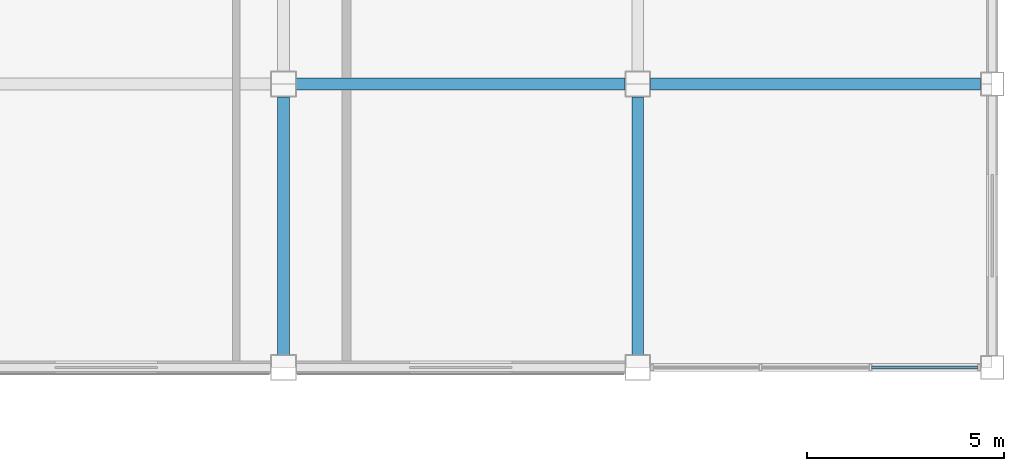
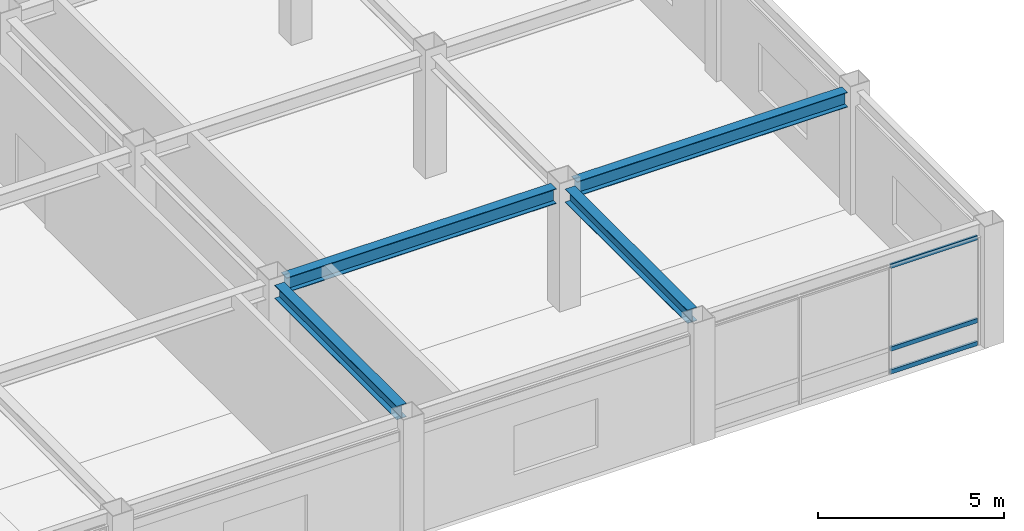
# One storey, part 74 of 106: 4 beams, 3 members, 1 element without a shape of its own.
"""IFC4 building model written with IfcOpenShell, lengths in metres."""

import ifcopenshell
import ifcopenshell.guid

model = None  # the IFC model being written
_history = None  # IfcOwnerHistory: only IFC2X3 demands one
_inside = {}  # id of a spatial element -> (the spatial element, [elements in it])
_under = {}  # id of a project, library or spatial element -> (it, [spatial elements below it])
_declared = {}  # id of a project -> (the project, [libraries it declares])
_typed = {}  # id of a type object -> (the type object, [elements of that type])
_made_of = {}  # id of a material, layer set ... -> (it, [elements and type objects made of it])


def new_model(schema):
    """Start an empty IFC model of exactly this schema.

    Asked for "IFC4X3", IfcOpenShell would pick the latest addendum, in which some entities
    have other attributes; the version numbers below select the first issue.
    IFC2X3 requires an IfcOwnerHistory on every rooted entity: one is made here for all.
    """
    global model, _history
    if schema == "IFC4X3":
        model = ifcopenshell.file(schema_version=(4, 3, 0, 0))
    else:
        model = ifcopenshell.file(schema=schema)
    _inside.clear()
    _under.clear()
    _declared.clear()
    _typed.clear()
    _made_of.clear()
    _history = None
    if model.schema == "IFC2X3":
        org = make("IfcOrganization", Name="unknown")
        user = make(
            "IfcPersonAndOrganization",
            ThePerson=make("IfcPerson", FamilyName="unknown"),
            TheOrganization=org,
        )
        app = make(
            "IfcApplication",
            ApplicationDeveloper=org,
            Version="unknown",
            ApplicationFullName="unknown",
            ApplicationIdentifier="unknown",
        )
        _history = make(
            "IfcOwnerHistory",
            OwningUser=user,
            OwningApplication=app,
            ChangeAction="ADDED",
            CreationDate=0,
        )
    return model


def make(cls, **values):
    """One entity of the class cls with the attributes given. An attribute that is None is left unset."""
    return model.create_entity(
        cls, **{name: value for name, value in values.items() if value is not None}
    )


def rooted(cls, **values):
    """An entity with a GlobalId (a new one), such as an element, a storey or a relation."""
    return make(cls, GlobalId=ifcopenshell.guid.new(), OwnerHistory=_history, **values)


def si_unit(unit_type, name, prefix=None):
    """IfcSIUnit, for example si_unit("LENGTHUNIT", "METRE", prefix="MILLI")."""
    return make("IfcSIUnit", UnitType=unit_type, Prefix=prefix, Name=name)


def assignment(units):
    """IfcUnitAssignment: the units of a project."""
    return None if units is None else make("IfcUnitAssignment", Units=units)


def point(xyz):
    """IfcCartesianPoint."""
    return None if xyz is None else make("IfcCartesianPoint", Coordinates=xyz)


def direction(xyz):
    """IfcDirection."""
    return None if xyz is None else make("IfcDirection", DirectionRatios=xyz)


def frame(location, z_axis=None, x_axis=None):
    """IfcAxis2Placement3D, a coordinate frame: its origin and axes. An axis left out is left unset."""
    return make(
        "IfcAxis2Placement3D",
        Location=point(location),
        Axis=direction(z_axis),
        RefDirection=direction(x_axis),
    )


def frame_2d(location, x_axis=None):
    """IfcAxis2Placement2D, a coordinate frame in the plane: its origin and x axis."""
    return make(
        "IfcAxis2Placement2D", Location=point(location), RefDirection=direction(x_axis)
    )


def origin():
    """The frame at (0, 0, 0) with its axes left unset."""
    return frame((0.0, 0.0, 0.0))


def origin_2d():
    """The frame at (0, 0) in the plane with its x axis left unset."""
    return frame_2d((0.0, 0.0))


def place(relative_to, where):
    """IfcLocalPlacement: puts the frame where relative to a parent placement (None: the world)."""
    return make(
        "IfcLocalPlacement", PlacementRelTo=relative_to, RelativePlacement=where
    )


def context(
    kind, dimensions, precision=None, world=None, true_north=None, identifier=None
):
    """IfcGeometricRepresentationContext, for example the 3D "Model" context."""
    return make(
        "IfcGeometricRepresentationContext",
        ContextIdentifier=identifier,
        ContextType=kind,
        CoordinateSpaceDimension=dimensions,
        Precision=precision,
        WorldCoordinateSystem=world,
        TrueNorth=true_north,
    )


def subcontext(parent, identifier, kind, view, scale=None):
    """IfcGeometricRepresentationSubContext, for example "Body" below "Model"."""
    return make(
        "IfcGeometricRepresentationSubContext",
        ContextIdentifier=identifier,
        ContextType=kind,
        ParentContext=parent,
        TargetScale=scale,
        TargetView=view,
    )


def project(units=None, contexts=None):
    """IfcProject with its units and contexts."""
    return rooted(
        "IfcProject",
        Name="project",
        RepresentationContexts=contexts,
        UnitsInContext=assignment(units),
    )


def spatial(cls, under=None, at=None, **own):
    """A site, building, storey or space (cls), placed at a placement, below another one or the project."""
    s = rooted(cls, ObjectPlacement=at, **own)
    if under is not None:
        _under.setdefault(under.id(), (under, []))[1].append(s)
    return s


def profile(cls, at=None, kind="AREA", **sizes):
    """A parametric profile (cls). Its sizes go by their IFC names, for example OverallWidth=200.0."""
    return make(cls, ProfileType=kind, Position=at, **sizes)


def hollow_rectangle(**sizes):
    """IfcRectangleHollowProfileDef."""
    return profile("IfcRectangleHollowProfileDef", **sizes)


def i_section(**sizes):
    """IfcIShapeProfileDef."""
    return profile("IfcIShapeProfileDef", **sizes)


def extrude(swept, where, along, depth):
    """IfcExtrudedAreaSolid: the profile swept, set in the frame where, extruded along a direction by depth."""
    return make(
        "IfcExtrudedAreaSolid",
        SweptArea=swept,
        Position=where,
        ExtrudedDirection=direction(along),
        Depth=depth,
    )


def shape(context_of_items, identifier, shape_type, items):
    """IfcShapeRepresentation: the items that make up one representation, for example the "Body"."""
    return make(
        "IfcShapeRepresentation",
        ContextOfItems=context_of_items,
        RepresentationIdentifier=identifier,
        RepresentationType=shape_type,
        Items=items,
    )


def material(Name=None, Category=None):
    """IfcMaterial."""
    return make("IfcMaterial", Name=Name, Category=Category)


def material_profile(
    of_material, cross_section, Name=None, Category=None, Priority=None
):
    """IfcMaterialProfile: a cross section and its material."""
    return make(
        "IfcMaterialProfile",
        Name=Name,
        Material=of_material,
        Profile=cross_section,
        Priority=Priority,
        Category=Category,
    )


def profile_set(profiles, Name=None, composite=None):
    """IfcMaterialProfileSet."""
    return make(
        "IfcMaterialProfileSet",
        Name=Name,
        MaterialProfiles=profiles,
        CompositeProfile=composite,
    )


def made_of(thing, what):
    """Note that an element or type object is made of a material, layer set ...; save() writes the relation."""
    if what is not None:
        _made_of.setdefault(what.id(), (what, []))[1].append(thing)
    return thing


def type_object(cls, material=None, **own):
    """A type object (cls), such as IfcWallType, which elements share."""
    return made_of(rooted(cls, **own), material)


def element(
    cls,
    number,
    at=None,
    inside=None,
    cuts=None,
    type_object=None,
    material=None,
    context=None,
    identifier="Body",
    shape_type=None,
    held_by="IfcProductDefinitionShape",
    body=None,
    shapes=None,
    **own,
):
    """One element of the class cls, such as IfcWall. Its Tag is "e" and its number.

    at: its placement. inside: the storey or other place that contains it. cuts: it is an
    opening in that element (IfcRelVoidsElement). A single representation is given by context,
    identifier, shape_type and body (its items); several are given by shapes. held_by: the class
    of the entity that holds the representations. save() writes the other relations.
    """
    e = rooted(cls, Tag="e%d" % number, ObjectPlacement=at, **own)
    if body is not None:
        shapes = [shape(context, identifier, shape_type, body)]
    if shapes is not None:
        e.Representation = make(held_by, Representations=shapes)
    if inside is not None:
        _inside.setdefault(inside.id(), (inside, []))[1].append(e)
    if cuts is not None:
        rooted(
            "IfcRelVoidsElement", RelatingBuildingElement=cuts, RelatedOpeningElement=e
        )
    if type_object is not None:
        _typed.setdefault(type_object.id(), (type_object, []))[1].append(e)
    return made_of(e, material)


def aggregate(whole, parts):
    """IfcRelAggregates: a whole, such as a stair, and the parts it consists of."""
    return rooted("IfcRelAggregates", RelatingObject=whole, RelatedObjects=parts)


def save(model, path):
    """Write the relations noted so far, then the file.

    IfcRelAggregates (storeys below a building ...), IfcRelContainedInSpatialStructure (elements
    in a storey), IfcRelDefinesByType, IfcRelAssociatesMaterial and IfcRelDeclares: one each for
    every whole, place, type object, material and project.
    """
    for whole, parts in _under.values():
        aggregate(whole, parts)
    for where, things in _inside.values():
        rooted(
            "IfcRelContainedInSpatialStructure",
            RelatedElements=things,
            RelatingStructure=where,
        )
    for kind, things in _typed.values():
        rooted("IfcRelDefinesByType", RelatedObjects=things, RelatingType=kind)
    for what, things in _made_of.values():
        rooted("IfcRelAssociatesMaterial", RelatedObjects=things, RelatingMaterial=what)
    for by, libraries in _declared.values():
        rooted("IfcRelDeclares", RelatingContext=by, RelatedDefinitions=libraries)
    model.write(path)


model = new_model("IFC4")

# Units and contexts
model_context = context("Model", 3, precision=1e-05, world=origin(), true_north=direction((0.0, 1.0)))
body_context = subcontext(model_context, "Body", "Model", "MODEL_VIEW")
ifc_project = project(units=[si_unit("LENGTHUNIT", "METRE"), si_unit("AREAUNIT", "SQUARE_METRE"), si_unit("VOLUMEUNIT", "CUBIC_METRE"), si_unit("PLANEANGLEUNIT", "RADIAN"), si_unit("MASSUNIT", "GRAM", prefix="KILO")], contexts=[model_context])

# Site, building, storey
site_placement = place(None, origin())
site = spatial("IfcSite", under=ifc_project, at=site_placement, CompositionType="ELEMENT")
building_placement = place(site_placement, origin())
building = spatial("IfcBuilding", under=site, at=building_placement, Name="Kazanami Central Library", CompositionType="ELEMENT")
storey_placement = place(building_placement, frame((0.0, 0.0, 12.800048828125)))
storey = spatial("IfcBuildingStorey", under=building, at=storey_placement, Name="L04", CompositionType="ELEMENT", Elevation=12.800048828125)

# Beams
ifc_material_1 = material(Name="Steel SN490B (325 MPa)", Category="steel")
ifc_material_profile_1 = material_profile(ifc_material_1, i_section(OverallWidth=0.300048828125, OverallDepth=0.488037109375, WebThickness=0.010986328125, FlangeThickness=0.01806640625, at=origin_2d()), Name="H-488x300x11x18")
ifc_profile_set_1 = profile_set([ifc_material_profile_1], Name="Steel SN490B (325 MPa)")
beam_type_1 = type_object("IfcBeamType", Name="BM-G-X5", PredefinedType="BEAM", material=ifc_profile_set_1)
beam_1_placement = place(storey_placement, frame((144.322998046875, 50.39990234375, 3.696044921875), z_axis=(1.0, 0.0, 0.0), x_axis=(0.0, 1.0, 0.0)))
element("IfcBeam", 1, at=beam_1_placement, inside=storey, type_object=beam_type_1, Name="Girder G-X5 L04 H/17-18", PredefinedType="BEAM", context=body_context, shape_type="SweptSolid", body=[
    extrude(i_section(OverallWidth=0.300048828125, OverallDepth=0.488037109375, WebThickness=0.010986328125, FlangeThickness=0.01806640625, at=origin_2d()), origin(), (0.0, 0.0, 1.0), 8.35400390625),
])
beam_2_placement = place(storey_placement, frame((153.322998046875, 50.39990234375, 3.696044921875), z_axis=(1.0, 0.0, 0.0), x_axis=(0.0, 1.0, 0.0)))
element("IfcBeam", 2, at=beam_2_placement, inside=storey, type_object=beam_type_1, Name="Girder G-X5 L04 H/18-19", PredefinedType="BEAM", context=body_context, shape_type="SweptSolid", body=[
    extrude(i_section(OverallWidth=0.300048828125, OverallDepth=0.488037109375, WebThickness=0.010986328125, FlangeThickness=0.01806640625, at=origin_2d()), origin(), (0.0, 0.0, 1.0), 8.37890625),
])
ifc_material_profile_2 = material_profile(ifc_material_1, i_section(OverallWidth=0.300048828125, OverallDepth=0.43994140625, WebThickness=0.010986328125, FlangeThickness=0.01806640625, at=origin_2d()), Name="H-440x300x11x18")
ifc_profile_set_2 = profile_set([ifc_material_profile_2], Name="Steel SN490B (325 MPa)")
beam_type_2 = type_object("IfcBeamType", Name="BM-G-Y4", PredefinedType="BEAM", material=ifc_profile_set_2)
for number, where, z_axis, x_axis, name in (
    (3, (144.0, 43.52294921875, 3.7548828125), (0.0, 1.0, 0.0), (-1.0, 0.0, 0.0), "Girder G-Y4 L04 17/G-H"),
    (4, (153.0, 43.52294921875, 3.7548828125), (0.0, 1.0, 0.0), (-1.0, 0.0, 0.0), "Girder G-Y4 L04 18/G-H"),
):
    element("IfcBeam", number, at=place(storey_placement, frame(where, z_axis=z_axis, x_axis=x_axis)), inside=storey, type_object=beam_type_2, Name=name, PredefinedType="BEAM", context=body_context, shape_type="SweptSolid", body=[
        extrude(i_section(OverallWidth=0.300048828125, OverallDepth=0.43994140625, WebThickness=0.010986328125, FlangeThickness=0.01806640625, at=origin_2d()), origin(), (0.0, 0.0, 1.0), 6.553955078125),
    ])

# Curtain wall, members
ifc_material_2 = material(Name="Acid-Etched Low-E Laminated Glass", Category="glass")
curtain_wall_type = type_object("IfcCurtainWallType", Name="CW-8375x3525-M275", PredefinedType="USERDEFINED", material=ifc_material_2)
curtain_wall_placement = place(storey_placement, origin())
curtain_wall = element("IfcCurtainWall", 5, at=curtain_wall_placement, inside=storey, type_object=curtain_wall_type, Name="Unitised Curtain Wall CW-38 L04 S-G-17", ObjectType="UNITISED CURTAIN WALL", PredefinedType="USERDEFINED")
ifc_material_3 = material(Name="Anodised Aluminium A6063-T5", Category="aluminium")
ifc_material_profile_3 = material_profile(ifc_material_3, hollow_rectangle(XDim=0.06494140625, YDim=0.139892578125, WallThickness=0.00390625, at=origin_2d()), Name="ALU-TRAN-65x140x4")
ifc_profile_set_3 = profile_set([ifc_material_profile_3], Name="Anodised Aluminium A6063-T5")
member_type = type_object("IfcMemberType", Name="MEM-CW-T2", PredefinedType="USERDEFINED", material=ifc_profile_set_3)
member_1_placement = place(storey_placement, frame((158.94091796875, 43.199951171875, 0.032470703125), z_axis=(1.0, 0.0, 0.0), x_axis=(0.0, 1.0, 0.0)))
member_1 = element("IfcMember", 6, at=member_1_placement, type_object=member_type, Name="CW-38 transom 3.1", ObjectType="TRANSOM", PredefinedType="USERDEFINED", context=body_context, shape_type="SweptSolid", body=[
    extrude(hollow_rectangle(XDim=0.06494140625, YDim=0.139892578125, WallThickness=0.00390625, at=origin_2d()), origin(), (0.0, 0.0, 1.0), 2.694091796875),
])
member_2_placement = place(storey_placement, frame((158.94091796875, 43.199951171875, 0.780029296875), z_axis=(1.0, 0.0, 0.0), x_axis=(0.0, 1.0, 0.0)))
member_2 = element("IfcMember", 7, at=member_2_placement, type_object=member_type, Name="CW-38 transom 3.2", ObjectType="TRANSOM", PredefinedType="USERDEFINED", context=body_context, shape_type="SweptSolid", body=[
    extrude(hollow_rectangle(XDim=0.06494140625, YDim=0.139892578125, WallThickness=0.00390625, at=origin_2d()), origin(), (0.0, 0.0, 1.0), 2.694091796875),
])
member_3_placement = place(storey_placement, frame((158.94091796875, 43.199951171875, 3.492431640625), z_axis=(1.0, 0.0, 0.0), x_axis=(0.0, 1.0, 0.0)))
member_3 = element("IfcMember", 8, at=member_3_placement, type_object=member_type, Name="CW-38 transom 3.3", ObjectType="TRANSOM", PredefinedType="USERDEFINED", context=body_context, shape_type="SweptSolid", body=[
    extrude(hollow_rectangle(XDim=0.06494140625, YDim=0.139892578125, WallThickness=0.00390625, at=origin_2d()), origin(), (0.0, 0.0, 1.0), 2.694091796875),
])
aggregate(curtain_wall, [member_1, member_2, member_3])

save(model, "model.ifc")
